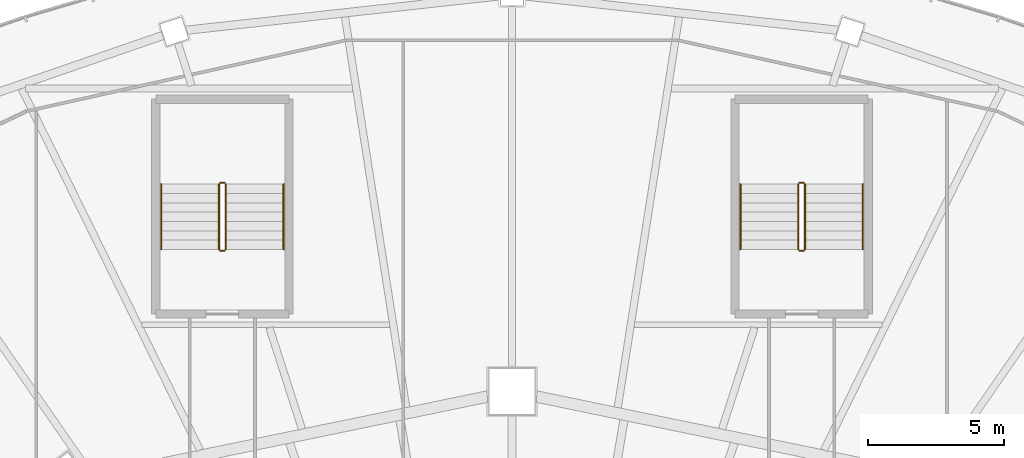
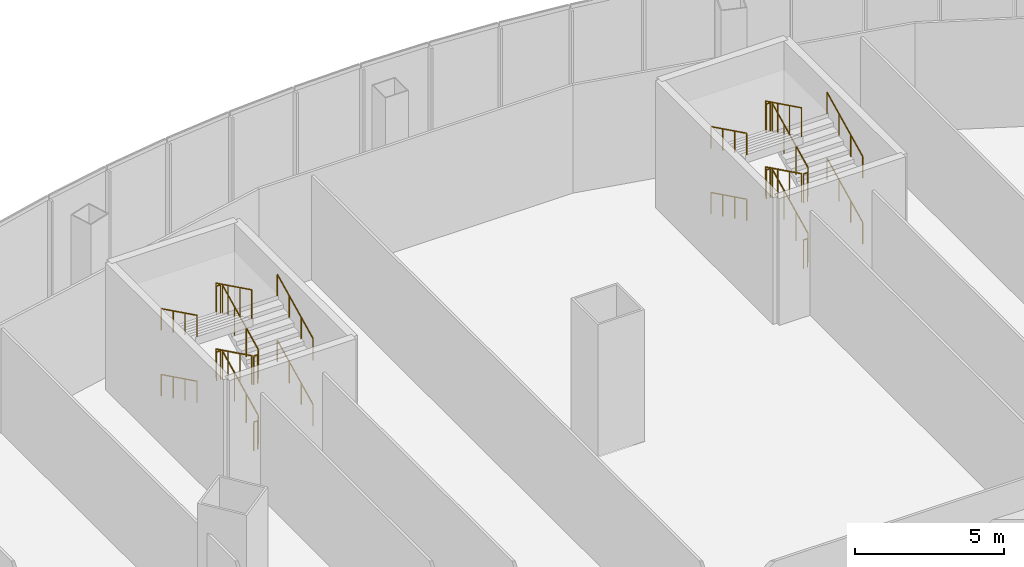
# One storey, part 42 of 42: 24 railings.
"""IFC4 building model written with IfcOpenShell, lengths in metres."""

from ifc_helpers import new_model, si_unit, direction, frame, origin, origin_2d, place, context, subcontext, project, spatial, circle, extrude, material, type_object, element, save


model = new_model("IFC4")

# Units and contexts
model_context = context("Model", 3, precision=1e-05, world=origin(), true_north=direction((0.0, 1.0)))
body_context = subcontext(model_context, "Body", "Model", "MODEL_VIEW")
ifc_project = project(units=[si_unit("LENGTHUNIT", "METRE"), si_unit("AREAUNIT", "SQUARE_METRE"), si_unit("VOLUMEUNIT", "CUBIC_METRE"), si_unit("PLANEANGLEUNIT", "RADIAN"), si_unit("MASSUNIT", "GRAM", prefix="KILO")], contexts=[model_context])

# Site, building, storey
site_placement = place(None, origin())
site = spatial("IfcSite", under=ifc_project, at=site_placement, CompositionType="ELEMENT")
building_placement = place(site_placement, origin())
building = spatial("IfcBuilding", under=site, at=building_placement, Name="Sahrelin Media Tower", CompositionType="ELEMENT")
storey_placement = place(building_placement, frame((0.0, 0.0, 26.0)))
storey = spatial("IfcBuildingStorey", under=building, at=storey_placement, Name="L03", CompositionType="ELEMENT", Elevation=26.0)

# Railings
ifc_material = material(Name="Steel S355", Category="steel")
railing_type_1 = type_object("IfcRailingType", Name="Stair guard 1200", PredefinedType="GUARDRAIL", material=ifc_material)
railing_1_placement = place(storey_placement, frame((10.77490234375, 30.625, 0.168701171875)))
element("IfcRailing", 1, at=railing_1_placement, inside=storey, type_object=railing_type_1, Name="L03 PS1 stair guard 1", PredefinedType="GUARDRAIL", context=body_context, shape_type="SweptSolid", body=[
    extrude(circle(Radius=0.02392578125, at=origin_2d()), frame((0.0, 0.0, 1.17578125), z_axis=(0.0, 0.897184586062, 0.441655769273), x_axis=(-1.0, 0.0, 0.0)), (0.0, 0.0, 1.0), 2.6748046875),
    extrude(circle(Radius=0.02099609375, at=origin_2d()), origin(), (0.0, 0.0, 1.0), 1.15185546875),
    extrude(circle(Radius=0.02099609375, at=origin_2d()), frame((0.0, 0.800048828125, 0.393798828125)), (0.0, 0.0, 1.0), 1.15185546875),
    extrude(circle(Radius=0.02099609375, at=origin_2d()), frame((0.0, 1.599853515625, 0.78759765625)), (0.0, 0.0, 1.0), 1.15185546875),
    extrude(circle(Radius=0.02099609375, at=origin_2d()), frame((0.0, 2.39990234375, 1.181396484375)), (0.0, 0.0, 1.0), 1.15185546875),
])
railing_2_placement = place(storey_placement, frame((10.72509765625, 33.074951171875, 1.35009765625)))
element("IfcRailing", 2, at=railing_2_placement, inside=storey, type_object=railing_type_1, Name="L03 PS1 stair guard 2", PredefinedType="GUARDRAIL", context=body_context, shape_type="SweptSolid", body=[
    extrude(circle(Radius=0.02392578125, at=origin_2d()), frame((0.0, 0.0, 1.17578125), z_axis=(-1.0, 0.0, 0.0), x_axis=(0.0, -1.0, 0.0)), (0.0, 0.0, 1.0), 0.150146484375),
    extrude(circle(Radius=0.02099609375, at=origin_2d()), origin(), (0.0, 0.0, 1.0), 1.15185546875),
    extrude(circle(Radius=0.02099609375, at=origin_2d()), frame((-0.150146484375, 0.0, 0.0)), (0.0, 0.0, 1.0), 1.15185546875),
])
railing_3_placement = place(storey_placement, frame((10.52490234375, 33.02490234375, 1.518798828125)))
element("IfcRailing", 3, at=railing_3_placement, inside=storey, type_object=railing_type_1, Name="L03 PS1 stair guard 3", PredefinedType="GUARDRAIL", context=body_context, shape_type="SweptSolid", body=[
    extrude(circle(Radius=0.02392578125, at=origin_2d()), frame((0.0, 0.0, 1.17578125), z_axis=(0.0, -0.897220749972, 0.441582297901), x_axis=(1.0, 0.0, 0.0)), (0.0, 0.0, 1.0), 2.6748046875),
    extrude(circle(Radius=0.02099609375, at=origin_2d()), origin(), (0.0, 0.0, 1.0), 1.15185546875),
    extrude(circle(Radius=0.02099609375, at=origin_2d()), frame((0.0, -0.800048828125, 0.393798828125)), (0.0, 0.0, 1.0), 1.15185546875),
    extrude(circle(Radius=0.02099609375, at=origin_2d()), frame((0.0, -1.599853515625, 0.787353515625)), (0.0, 0.0, 1.0), 1.15185546875),
    extrude(circle(Radius=0.02099609375, at=origin_2d()), frame((0.0, -2.39990234375, 1.18115234375)), (0.0, 0.0, 1.0), 1.15185546875),
])
railing_4_placement = place(storey_placement, frame((10.72509765625, 30.574951171875, 2.699951171875)))
element("IfcRailing", 4, at=railing_4_placement, inside=storey, type_object=railing_type_1, Name="L03 PS1 stair guard 4", PredefinedType="GUARDRAIL", context=body_context, shape_type="SweptSolid", body=[
    extrude(circle(Radius=0.02392578125, at=origin_2d()), frame((0.0, 0.0, 1.17578125), z_axis=(-1.0, 0.0, 0.0), x_axis=(0.0, -1.0, 0.0)), (0.0, 0.0, 1.0), 0.150146484375),
    extrude(circle(Radius=0.02099609375, at=origin_2d()), origin(), (0.0, 0.0, 1.0), 1.15185546875),
    extrude(circle(Radius=0.02099609375, at=origin_2d()), frame((-0.150146484375, 0.0, 0.0)), (0.0, 0.0, 1.0), 1.15185546875),
])
railing_5_placement = place(storey_placement, frame((10.77490234375, 30.625, 2.86865234375)))
element("IfcRailing", 5, at=railing_5_placement, inside=storey, type_object=railing_type_1, Name="L03 PS1 stair guard 5", PredefinedType="GUARDRAIL", context=body_context, shape_type="SweptSolid", body=[
    extrude(circle(Radius=0.02392578125, at=origin_2d()), frame((0.0, 0.0, 1.17578125), z_axis=(0.0, 0.897184586062, 0.441655769273), x_axis=(-1.0, 0.0, 0.0)), (0.0, 0.0, 1.0), 2.6748046875),
    extrude(circle(Radius=0.02099609375, at=origin_2d()), origin(), (0.0, 0.0, 1.0), 1.15185546875),
    extrude(circle(Radius=0.02099609375, at=origin_2d()), frame((0.0, 0.800048828125, 0.393798828125)), (0.0, 0.0, 1.0), 1.15185546875),
    extrude(circle(Radius=0.02099609375, at=origin_2d()), frame((0.0, 1.599853515625, 0.78759765625)), (0.0, 0.0, 1.0), 1.15185546875),
    extrude(circle(Radius=0.02099609375, at=origin_2d()), frame((0.0, 2.39990234375, 1.181396484375)), (0.0, 0.0, 1.0), 1.15185546875),
])
railing_6_placement = place(storey_placement, frame((10.72509765625, 33.074951171875, 4.050048828125)))
element("IfcRailing", 6, at=railing_6_placement, inside=storey, type_object=railing_type_1, Name="L03 PS1 stair guard 6", PredefinedType="GUARDRAIL", context=body_context, shape_type="SweptSolid", body=[
    extrude(circle(Radius=0.02392578125, at=origin_2d()), frame((0.0, 0.0, 1.17578125), z_axis=(-1.0, 0.0, 0.0), x_axis=(0.0, -1.0, 0.0)), (0.0, 0.0, 1.0), 0.150146484375),
    extrude(circle(Radius=0.02099609375, at=origin_2d()), origin(), (0.0, 0.0, 1.0), 1.15185546875),
    extrude(circle(Radius=0.02099609375, at=origin_2d()), frame((-0.150146484375, 0.0, 0.0)), (0.0, 0.0, 1.0), 1.15185546875),
])
railing_7_placement = place(storey_placement, frame((10.52490234375, 33.02490234375, 4.21875)))
element("IfcRailing", 7, at=railing_7_placement, inside=storey, type_object=railing_type_1, Name="L03 PS1 stair guard 7", PredefinedType="GUARDRAIL", context=body_context, shape_type="SweptSolid", body=[
    extrude(circle(Radius=0.02392578125, at=origin_2d()), frame((0.0, 0.0, 1.17578125), z_axis=(0.0, -0.897220749972, 0.441582297901), x_axis=(1.0, 0.0, 0.0)), (0.0, 0.0, 1.0), 2.6748046875),
    extrude(circle(Radius=0.02099609375, at=origin_2d()), origin(), (0.0, 0.0, 1.0), 1.15185546875),
    extrude(circle(Radius=0.02099609375, at=origin_2d()), frame((0.0, -0.800048828125, 0.393798828125)), (0.0, 0.0, 1.0), 1.15185546875),
    extrude(circle(Radius=0.02099609375, at=origin_2d()), frame((0.0, -1.599853515625, 0.787353515625)), (0.0, 0.0, 1.0), 1.15185546875),
    extrude(circle(Radius=0.02099609375, at=origin_2d()), frame((0.0, -2.39990234375, 1.18115234375)), (0.0, 0.0, 1.0), 1.15185546875),
])
railing_8_placement = place(storey_placement, frame((10.72509765625, 30.574951171875, 0.0)))
element("IfcRailing", 8, at=railing_8_placement, inside=storey, type_object=railing_type_1, Name="L03 PS1 stair guard 8", PredefinedType="GUARDRAIL", context=body_context, shape_type="SweptSolid", body=[
    extrude(circle(Radius=0.02392578125, at=origin_2d()), frame((0.0, 0.0, 1.17578125), z_axis=(-1.0, 0.0, 0.0), x_axis=(0.0, -1.0, 0.0)), (0.0, 0.0, 1.0), 0.150146484375),
    extrude(circle(Radius=0.02099609375, at=origin_2d()), origin(), (0.0, 0.0, 1.0), 1.15185546875),
    extrude(circle(Radius=0.02099609375, at=origin_2d()), frame((-0.150146484375, 0.0, 0.0)), (0.0, 0.0, 1.0), 1.15185546875),
])
railing_9_placement = place(storey_placement, frame((-10.52490234375, 30.625, 0.168701171875)))
element("IfcRailing", 9, at=railing_9_placement, inside=storey, type_object=railing_type_1, Name="L03 PS2 stair guard 1", PredefinedType="GUARDRAIL", context=body_context, shape_type="SweptSolid", body=[
    extrude(circle(Radius=0.02392578125, at=origin_2d()), frame((0.0, 0.0, 1.17578125), z_axis=(0.0, 0.897184586062, 0.441655769273), x_axis=(-1.0, 0.0, 0.0)), (0.0, 0.0, 1.0), 2.6748046875),
    extrude(circle(Radius=0.02099609375, at=origin_2d()), origin(), (0.0, 0.0, 1.0), 1.15185546875),
    extrude(circle(Radius=0.02099609375, at=origin_2d()), frame((0.0, 0.800048828125, 0.393798828125)), (0.0, 0.0, 1.0), 1.15185546875),
    extrude(circle(Radius=0.02099609375, at=origin_2d()), frame((0.0, 1.599853515625, 0.78759765625)), (0.0, 0.0, 1.0), 1.15185546875),
    extrude(circle(Radius=0.02099609375, at=origin_2d()), frame((0.0, 2.39990234375, 1.181396484375)), (0.0, 0.0, 1.0), 1.15185546875),
])
railing_10_placement = place(storey_placement, frame((-10.574951171875, 33.074951171875, 1.35009765625)))
element("IfcRailing", 10, at=railing_10_placement, inside=storey, type_object=railing_type_1, Name="L03 PS2 stair guard 2", PredefinedType="GUARDRAIL", context=body_context, shape_type="SweptSolid", body=[
    extrude(circle(Radius=0.02392578125, at=origin_2d()), frame((0.0, 0.0, 1.17578125), z_axis=(-1.0, 0.0, 0.0), x_axis=(0.0, -1.0, 0.0)), (0.0, 0.0, 1.0), 0.150146484375),
    extrude(circle(Radius=0.02099609375, at=origin_2d()), origin(), (0.0, 0.0, 1.0), 1.15185546875),
    extrude(circle(Radius=0.02099609375, at=origin_2d()), frame((-0.150146484375, 0.0, 0.0)), (0.0, 0.0, 1.0), 1.15185546875),
])
railing_11_placement = place(storey_placement, frame((-10.77490234375, 33.02490234375, 1.518798828125)))
element("IfcRailing", 11, at=railing_11_placement, inside=storey, type_object=railing_type_1, Name="L03 PS2 stair guard 3", PredefinedType="GUARDRAIL", context=body_context, shape_type="SweptSolid", body=[
    extrude(circle(Radius=0.02392578125, at=origin_2d()), frame((0.0, 0.0, 1.17578125), z_axis=(0.0, -0.897220749972, 0.441582297901), x_axis=(1.0, 0.0, 0.0)), (0.0, 0.0, 1.0), 2.6748046875),
    extrude(circle(Radius=0.02099609375, at=origin_2d()), origin(), (0.0, 0.0, 1.0), 1.15185546875),
    extrude(circle(Radius=0.02099609375, at=origin_2d()), frame((0.0, -0.800048828125, 0.393798828125)), (0.0, 0.0, 1.0), 1.15185546875),
    extrude(circle(Radius=0.02099609375, at=origin_2d()), frame((0.0, -1.599853515625, 0.787353515625)), (0.0, 0.0, 1.0), 1.15185546875),
    extrude(circle(Radius=0.02099609375, at=origin_2d()), frame((0.0, -2.39990234375, 1.18115234375)), (0.0, 0.0, 1.0), 1.15185546875),
])
railing_12_placement = place(storey_placement, frame((-10.574951171875, 30.574951171875, 2.699951171875)))
element("IfcRailing", 12, at=railing_12_placement, inside=storey, type_object=railing_type_1, Name="L03 PS2 stair guard 4", PredefinedType="GUARDRAIL", context=body_context, shape_type="SweptSolid", body=[
    extrude(circle(Radius=0.02392578125, at=origin_2d()), frame((0.0, 0.0, 1.17578125), z_axis=(-1.0, 0.0, 0.0), x_axis=(0.0, -1.0, 0.0)), (0.0, 0.0, 1.0), 0.150146484375),
    extrude(circle(Radius=0.02099609375, at=origin_2d()), origin(), (0.0, 0.0, 1.0), 1.15185546875),
    extrude(circle(Radius=0.02099609375, at=origin_2d()), frame((-0.150146484375, 0.0, 0.0)), (0.0, 0.0, 1.0), 1.15185546875),
])
railing_13_placement = place(storey_placement, frame((-10.52490234375, 30.625, 2.86865234375)))
element("IfcRailing", 13, at=railing_13_placement, inside=storey, type_object=railing_type_1, Name="L03 PS2 stair guard 5", PredefinedType="GUARDRAIL", context=body_context, shape_type="SweptSolid", body=[
    extrude(circle(Radius=0.02392578125, at=origin_2d()), frame((0.0, 0.0, 1.17578125), z_axis=(0.0, 0.897184586062, 0.441655769273), x_axis=(-1.0, 0.0, 0.0)), (0.0, 0.0, 1.0), 2.6748046875),
    extrude(circle(Radius=0.02099609375, at=origin_2d()), origin(), (0.0, 0.0, 1.0), 1.15185546875),
    extrude(circle(Radius=0.02099609375, at=origin_2d()), frame((0.0, 0.800048828125, 0.393798828125)), (0.0, 0.0, 1.0), 1.15185546875),
    extrude(circle(Radius=0.02099609375, at=origin_2d()), frame((0.0, 1.599853515625, 0.78759765625)), (0.0, 0.0, 1.0), 1.15185546875),
    extrude(circle(Radius=0.02099609375, at=origin_2d()), frame((0.0, 2.39990234375, 1.181396484375)), (0.0, 0.0, 1.0), 1.15185546875),
])
railing_14_placement = place(storey_placement, frame((-10.574951171875, 33.074951171875, 4.050048828125)))
element("IfcRailing", 14, at=railing_14_placement, inside=storey, type_object=railing_type_1, Name="L03 PS2 stair guard 6", PredefinedType="GUARDRAIL", context=body_context, shape_type="SweptSolid", body=[
    extrude(circle(Radius=0.02392578125, at=origin_2d()), frame((0.0, 0.0, 1.17578125), z_axis=(-1.0, 0.0, 0.0), x_axis=(0.0, -1.0, 0.0)), (0.0, 0.0, 1.0), 0.150146484375),
    extrude(circle(Radius=0.02099609375, at=origin_2d()), origin(), (0.0, 0.0, 1.0), 1.15185546875),
    extrude(circle(Radius=0.02099609375, at=origin_2d()), frame((-0.150146484375, 0.0, 0.0)), (0.0, 0.0, 1.0), 1.15185546875),
])
railing_15_placement = place(storey_placement, frame((-10.77490234375, 33.02490234375, 4.21875)))
element("IfcRailing", 15, at=railing_15_placement, inside=storey, type_object=railing_type_1, Name="L03 PS2 stair guard 7", PredefinedType="GUARDRAIL", context=body_context, shape_type="SweptSolid", body=[
    extrude(circle(Radius=0.02392578125, at=origin_2d()), frame((0.0, 0.0, 1.17578125), z_axis=(0.0, -0.897220749972, 0.441582297901), x_axis=(1.0, 0.0, 0.0)), (0.0, 0.0, 1.0), 2.6748046875),
    extrude(circle(Radius=0.02099609375, at=origin_2d()), origin(), (0.0, 0.0, 1.0), 1.15185546875),
    extrude(circle(Radius=0.02099609375, at=origin_2d()), frame((0.0, -0.800048828125, 0.393798828125)), (0.0, 0.0, 1.0), 1.15185546875),
    extrude(circle(Radius=0.02099609375, at=origin_2d()), frame((0.0, -1.599853515625, 0.787353515625)), (0.0, 0.0, 1.0), 1.15185546875),
    extrude(circle(Radius=0.02099609375, at=origin_2d()), frame((0.0, -2.39990234375, 1.18115234375)), (0.0, 0.0, 1.0), 1.15185546875),
])
railing_16_placement = place(storey_placement, frame((-10.574951171875, 30.574951171875, 0.0)))
element("IfcRailing", 16, at=railing_16_placement, inside=storey, type_object=railing_type_1, Name="L03 PS2 stair guard 8", PredefinedType="GUARDRAIL", context=body_context, shape_type="SweptSolid", body=[
    extrude(circle(Radius=0.02392578125, at=origin_2d()), frame((0.0, 0.0, 1.17578125), z_axis=(-1.0, 0.0, 0.0), x_axis=(0.0, -1.0, 0.0)), (0.0, 0.0, 1.0), 0.150146484375),
    extrude(circle(Radius=0.02099609375, at=origin_2d()), origin(), (0.0, 0.0, 1.0), 1.15185546875),
    extrude(circle(Radius=0.02099609375, at=origin_2d()), frame((-0.150146484375, 0.0, 0.0)), (0.0, 0.0, 1.0), 1.15185546875),
])
railing_type_2 = type_object("IfcRailingType", Name="Stair handrail 900", PredefinedType="HANDRAIL", material=ifc_material)
railing_17_placement = place(storey_placement, frame((12.89990234375, 30.625, 0.168701171875)))
element("IfcRailing", 17, at=railing_17_placement, inside=storey, type_object=railing_type_2, Name="L03 PS1 stair handrail 1", PredefinedType="HANDRAIL", context=body_context, shape_type="SweptSolid", body=[
    extrude(circle(Radius=0.02392578125, at=origin_2d()), frame((0.0, 0.0, 0.8759765625), z_axis=(0.0, 0.897184586062, 0.441655769273), x_axis=(-1.0, 0.0, 0.0)), (0.0, 0.0, 1.0), 2.6748046875),
    extrude(circle(Radius=0.02099609375, at=origin_2d()), origin(), (0.0, 0.0, 1.0), 0.851806640625),
    extrude(circle(Radius=0.02099609375, at=origin_2d()), frame((0.0, 0.800048828125, 0.393798828125)), (0.0, 0.0, 1.0), 0.851806640625),
    extrude(circle(Radius=0.02099609375, at=origin_2d()), frame((0.0, 1.599853515625, 0.78759765625)), (0.0, 0.0, 1.0), 0.851806640625),
    extrude(circle(Radius=0.02099609375, at=origin_2d()), frame((0.0, 2.39990234375, 1.181396484375)), (0.0, 0.0, 1.0), 0.851806640625),
])
railing_18_placement = place(storey_placement, frame((8.39990234375, 33.02490234375, 1.518798828125)))
element("IfcRailing", 18, at=railing_18_placement, inside=storey, type_object=railing_type_2, Name="L03 PS1 stair handrail 2", PredefinedType="HANDRAIL", context=body_context, shape_type="SweptSolid", body=[
    extrude(circle(Radius=0.02392578125, at=origin_2d()), frame((0.0, 0.0, 0.8759765625), z_axis=(0.0, -0.897220749972, 0.441582297901), x_axis=(1.0, 0.0, 0.0)), (0.0, 0.0, 1.0), 2.6748046875),
    extrude(circle(Radius=0.02099609375, at=origin_2d()), origin(), (0.0, 0.0, 1.0), 0.851806640625),
    extrude(circle(Radius=0.02099609375, at=origin_2d()), frame((0.0, -0.800048828125, 0.393798828125)), (0.0, 0.0, 1.0), 0.851806640625),
    extrude(circle(Radius=0.02099609375, at=origin_2d()), frame((0.0, -1.599853515625, 0.787353515625)), (0.0, 0.0, 1.0), 0.851806640625),
    extrude(circle(Radius=0.02099609375, at=origin_2d()), frame((0.0, -2.39990234375, 1.18115234375)), (0.0, 0.0, 1.0), 0.851806640625),
])
railing_19_placement = place(storey_placement, frame((12.89990234375, 30.625, 2.86865234375)))
element("IfcRailing", 19, at=railing_19_placement, inside=storey, type_object=railing_type_2, Name="L03 PS1 stair handrail 3", PredefinedType="HANDRAIL", context=body_context, shape_type="SweptSolid", body=[
    extrude(circle(Radius=0.02392578125, at=origin_2d()), frame((0.0, 0.0, 0.8759765625), z_axis=(0.0, 0.897184586062, 0.441655769273), x_axis=(-1.0, 0.0, 0.0)), (0.0, 0.0, 1.0), 2.6748046875),
    extrude(circle(Radius=0.02099609375, at=origin_2d()), origin(), (0.0, 0.0, 1.0), 0.851806640625),
    extrude(circle(Radius=0.02099609375, at=origin_2d()), frame((0.0, 0.800048828125, 0.393798828125)), (0.0, 0.0, 1.0), 0.851806640625),
    extrude(circle(Radius=0.02099609375, at=origin_2d()), frame((0.0, 1.599853515625, 0.78759765625)), (0.0, 0.0, 1.0), 0.851806640625),
    extrude(circle(Radius=0.02099609375, at=origin_2d()), frame((0.0, 2.39990234375, 1.181396484375)), (0.0, 0.0, 1.0), 0.851806640625),
])
railing_20_placement = place(storey_placement, frame((8.39990234375, 33.02490234375, 4.21875)))
element("IfcRailing", 20, at=railing_20_placement, inside=storey, type_object=railing_type_2, Name="L03 PS1 stair handrail 4", PredefinedType="HANDRAIL", context=body_context, shape_type="SweptSolid", body=[
    extrude(circle(Radius=0.02392578125, at=origin_2d()), frame((0.0, 0.0, 0.8759765625), z_axis=(0.0, -0.897220749972, 0.441582297901), x_axis=(1.0, 0.0, 0.0)), (0.0, 0.0, 1.0), 2.6748046875),
    extrude(circle(Radius=0.02099609375, at=origin_2d()), origin(), (0.0, 0.0, 1.0), 0.851806640625),
    extrude(circle(Radius=0.02099609375, at=origin_2d()), frame((0.0, -0.800048828125, 0.393798828125)), (0.0, 0.0, 1.0), 0.851806640625),
    extrude(circle(Radius=0.02099609375, at=origin_2d()), frame((0.0, -1.599853515625, 0.787353515625)), (0.0, 0.0, 1.0), 0.851806640625),
    extrude(circle(Radius=0.02099609375, at=origin_2d()), frame((0.0, -2.39990234375, 1.18115234375)), (0.0, 0.0, 1.0), 0.851806640625),
])
railing_21_placement = place(storey_placement, frame((-8.39990234375, 30.625, 0.168701171875)))
element("IfcRailing", 21, at=railing_21_placement, inside=storey, type_object=railing_type_2, Name="L03 PS2 stair handrail 1", PredefinedType="HANDRAIL", context=body_context, shape_type="SweptSolid", body=[
    extrude(circle(Radius=0.02392578125, at=origin_2d()), frame((0.0, 0.0, 0.8759765625), z_axis=(0.0, 0.897184586062, 0.441655769273), x_axis=(-1.0, 0.0, 0.0)), (0.0, 0.0, 1.0), 2.6748046875),
    extrude(circle(Radius=0.02099609375, at=origin_2d()), origin(), (0.0, 0.0, 1.0), 0.851806640625),
    extrude(circle(Radius=0.02099609375, at=origin_2d()), frame((0.0, 0.800048828125, 0.393798828125)), (0.0, 0.0, 1.0), 0.851806640625),
    extrude(circle(Radius=0.02099609375, at=origin_2d()), frame((0.0, 1.599853515625, 0.78759765625)), (0.0, 0.0, 1.0), 0.851806640625),
    extrude(circle(Radius=0.02099609375, at=origin_2d()), frame((0.0, 2.39990234375, 1.181396484375)), (0.0, 0.0, 1.0), 0.851806640625),
])
railing_22_placement = place(storey_placement, frame((-12.89990234375, 33.02490234375, 1.518798828125)))
element("IfcRailing", 22, at=railing_22_placement, inside=storey, type_object=railing_type_2, Name="L03 PS2 stair handrail 2", PredefinedType="HANDRAIL", context=body_context, shape_type="SweptSolid", body=[
    extrude(circle(Radius=0.02392578125, at=origin_2d()), frame((0.0, 0.0, 0.8759765625), z_axis=(0.0, -0.897220749972, 0.441582297901), x_axis=(1.0, 0.0, 0.0)), (0.0, 0.0, 1.0), 2.6748046875),
    extrude(circle(Radius=0.02099609375, at=origin_2d()), origin(), (0.0, 0.0, 1.0), 0.851806640625),
    extrude(circle(Radius=0.02099609375, at=origin_2d()), frame((0.0, -0.800048828125, 0.393798828125)), (0.0, 0.0, 1.0), 0.851806640625),
    extrude(circle(Radius=0.02099609375, at=origin_2d()), frame((0.0, -1.599853515625, 0.787353515625)), (0.0, 0.0, 1.0), 0.851806640625),
    extrude(circle(Radius=0.02099609375, at=origin_2d()), frame((0.0, -2.39990234375, 1.18115234375)), (0.0, 0.0, 1.0), 0.851806640625),
])
railing_23_placement = place(storey_placement, frame((-8.39990234375, 30.625, 2.86865234375)))
element("IfcRailing", 23, at=railing_23_placement, inside=storey, type_object=railing_type_2, Name="L03 PS2 stair handrail 3", PredefinedType="HANDRAIL", context=body_context, shape_type="SweptSolid", body=[
    extrude(circle(Radius=0.02392578125, at=origin_2d()), frame((0.0, 0.0, 0.8759765625), z_axis=(0.0, 0.897184586062, 0.441655769273), x_axis=(-1.0, 0.0, 0.0)), (0.0, 0.0, 1.0), 2.6748046875),
    extrude(circle(Radius=0.02099609375, at=origin_2d()), origin(), (0.0, 0.0, 1.0), 0.851806640625),
    extrude(circle(Radius=0.02099609375, at=origin_2d()), frame((0.0, 0.800048828125, 0.393798828125)), (0.0, 0.0, 1.0), 0.851806640625),
    extrude(circle(Radius=0.02099609375, at=origin_2d()), frame((0.0, 1.599853515625, 0.78759765625)), (0.0, 0.0, 1.0), 0.851806640625),
    extrude(circle(Radius=0.02099609375, at=origin_2d()), frame((0.0, 2.39990234375, 1.181396484375)), (0.0, 0.0, 1.0), 0.851806640625),
])
railing_24_placement = place(storey_placement, frame((-12.89990234375, 33.02490234375, 4.21875)))
element("IfcRailing", 24, at=railing_24_placement, inside=storey, type_object=railing_type_2, Name="L03 PS2 stair handrail 4", PredefinedType="HANDRAIL", context=body_context, shape_type="SweptSolid", body=[
    extrude(circle(Radius=0.02392578125, at=origin_2d()), frame((0.0, 0.0, 0.8759765625), z_axis=(0.0, -0.897220749972, 0.441582297901), x_axis=(1.0, 0.0, 0.0)), (0.0, 0.0, 1.0), 2.6748046875),
    extrude(circle(Radius=0.02099609375, at=origin_2d()), origin(), (0.0, 0.0, 1.0), 0.851806640625),
    extrude(circle(Radius=0.02099609375, at=origin_2d()), frame((0.0, -0.800048828125, 0.393798828125)), (0.0, 0.0, 1.0), 0.851806640625),
    extrude(circle(Radius=0.02099609375, at=origin_2d()), frame((0.0, -1.599853515625, 0.787353515625)), (0.0, 0.0, 1.0), 0.851806640625),
    extrude(circle(Radius=0.02099609375, at=origin_2d()), frame((0.0, -2.39990234375, 1.18115234375)), (0.0, 0.0, 1.0), 0.851806640625),
])

save(model, "model.ifc")
